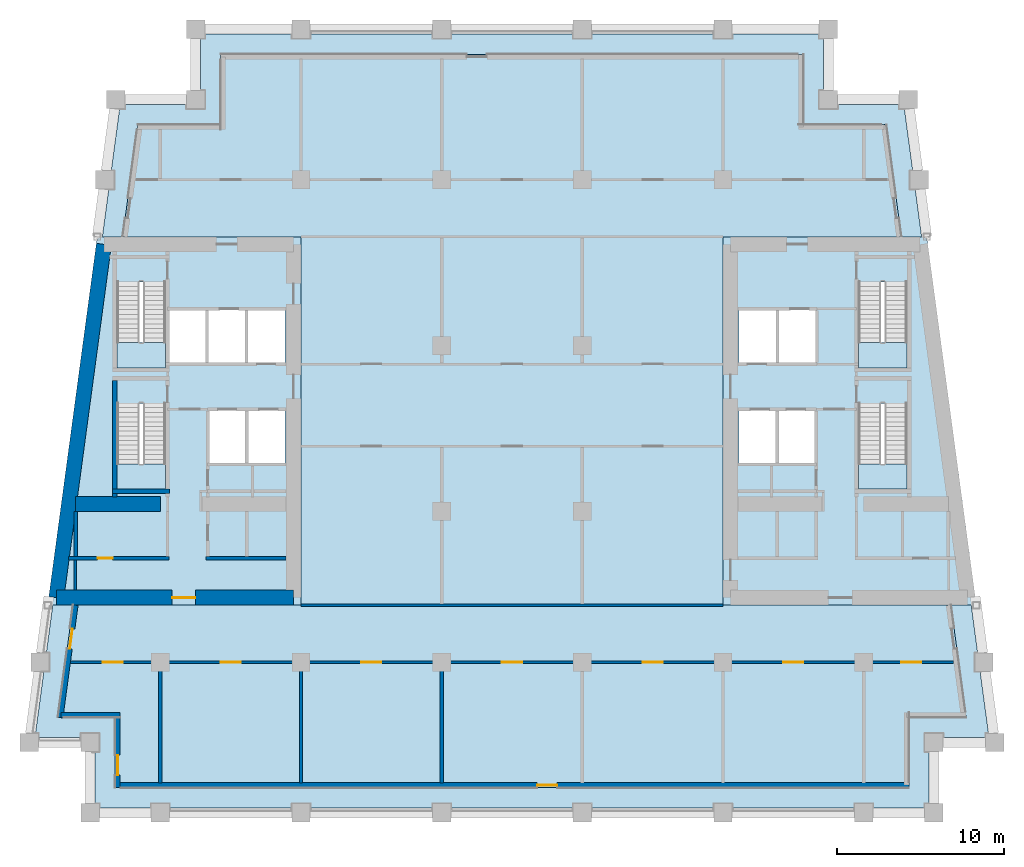
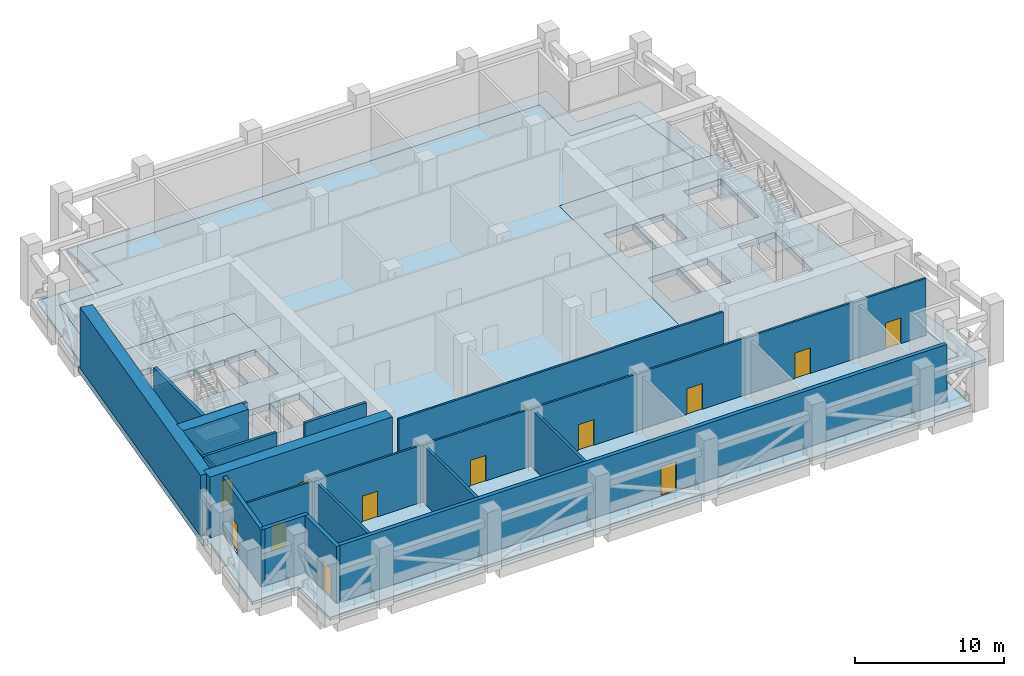
# One storey, part 4 of 12: 18 walls, 12 doors, 9 slabs, 12 openings, 4 elements without a shape of their own.
"""IFC4 building model written with IfcOpenShell, lengths in metres."""

from ifc_helpers import new_model, si_unit, direction, frame, frame_2d, origin, place, context, subcontext, project, spatial, polyline, rectangle, outline, extrude, material, layer, layer_set, type_object, element, fill, aggregate, save


model = new_model("IFC4")

# Units and contexts
model_context = context("Model", 3, precision=1e-05, world=origin(), true_north=direction((0.0, 1.0)))
body_context = subcontext(model_context, "Body", "Model", "MODEL_VIEW")
ifc_project = project(units=[si_unit("LENGTHUNIT", "METRE"), si_unit("AREAUNIT", "SQUARE_METRE"), si_unit("VOLUMEUNIT", "CUBIC_METRE"), si_unit("PLANEANGLEUNIT", "RADIAN"), si_unit("MASSUNIT", "GRAM", prefix="KILO")], contexts=[model_context])

# Site, building, storey
site_placement = place(None, origin())
site = spatial("IfcSite", under=ifc_project, at=site_placement, CompositionType="ELEMENT")
building_placement = place(site_placement, origin())
building = spatial("IfcBuilding", under=site, at=building_placement, Name="Candeia Pilgrim Tower and Theatre", CompositionType="ELEMENT")
storey_placement = place(building_placement, frame((0.0, 0.0, 197.199951171875)))
storey = spatial("IfcBuildingStorey", under=building, at=storey_placement, Name="L47", CompositionType="ELEMENT", Elevation=197.199951171875)

# Slabs
ifc_material_1 = material(Name="Concrete C60/75", Category="concrete")
ifc_layer_1 = layer(ifc_material_1, 0.5)
ifc_layer_set_1 = layer_set([ifc_layer_1], Name="FS-CORE 500 core floor")
slab_type_1 = type_object("IfcSlabType", Name="FS-CORE 500 core floor", PredefinedType="FLOOR", material=ifc_layer_set_1)
slab_1_placement = place(storey_placement, frame((0.0, 0.0, -0.5)))
element("IfcSlab", 1, at=slab_1_placement, inside=storey, type_object=slab_type_1, Name="Core floor W L47", PredefinedType="FLOOR", context=body_context, shape_type="SweptSolid", body=[
    extrude(outline(polyline([(100.800048828125, 132.39990234375), (100.800048828125, 110.39990234375), (85.669189453125, 110.39990234375), (88.630859375, 132.39990234375), (100.800048828125, 132.39990234375)]), holes=[polyline([(97.59228515625, 128.050048828125), (97.59228515625, 124.85009765625), (99.85009765625, 124.85009765625), (99.85009765625, 128.050048828125), (97.59228515625, 128.050048828125)]), polyline([(97.613525390625, 122.050048828125), (97.613525390625, 118.85009765625), (99.85009765625, 118.85009765625), (99.85009765625, 122.050048828125), (97.613525390625, 122.050048828125)]), polyline([(95.277099609375, 122.050048828125), (95.277099609375, 118.85009765625), (97.513427734375, 118.85009765625), (97.513427734375, 122.050048828125), (95.277099609375, 122.050048828125)]), polyline([(95.234619140625, 128.050048828125), (95.234619140625, 124.85009765625), (97.4921875, 124.85009765625), (97.4921875, 128.050048828125), (95.234619140625, 128.050048828125)]), polyline([(92.876953125, 128.050048828125), (92.876953125, 124.85009765625), (95.134765625, 124.85009765625), (95.134765625, 128.050048828125), (92.876953125, 128.050048828125)]), polyline([(89.802001953125, 117.324951171875), (92.701904296875, 117.324951171875), (92.701904296875, 122.455078125), (89.802001953125, 122.455078125), (89.802001953125, 117.324951171875)]), polyline([(89.802001953125, 129.705078125), (89.802001953125, 124.574951171875), (92.701904296875, 124.574951171875), (92.701904296875, 129.705078125), (89.802001953125, 129.705078125)])]), origin(), (0.0, 0.0, 1.0), 0.5),
])
slab_2_placement = place(storey_placement, frame((0.0, 0.0, -0.5)))
element("IfcSlab", 2, at=slab_2_placement, inside=storey, type_object=slab_type_1, Name="Core floor E L47", PredefinedType="FLOOR", context=body_context, shape_type="SweptSolid", body=[
    extrude(outline(polyline([(138.169189453125, 132.39990234375), (141.130859375, 110.39990234375), (126.0, 110.39990234375), (126.0, 132.39990234375), (138.169189453125, 132.39990234375)]), holes=[polyline([(134.097900390625, 117.324951171875), (136.998046875, 117.324951171875), (136.998046875, 122.455078125), (134.097900390625, 122.455078125), (134.097900390625, 117.324951171875)]), polyline([(134.097900390625, 129.705078125), (134.097900390625, 124.574951171875), (136.998046875, 124.574951171875), (136.998046875, 129.705078125), (134.097900390625, 129.705078125)]), polyline([(131.565185546875, 128.050048828125), (129.3076171875, 128.050048828125), (129.3076171875, 124.85009765625), (131.565185546875, 124.85009765625), (131.565185546875, 128.050048828125)]), polyline([(131.52294921875, 122.050048828125), (129.28662109375, 122.050048828125), (129.28662109375, 118.85009765625), (131.52294921875, 118.85009765625), (131.52294921875, 122.050048828125)]), polyline([(126.949951171875, 128.050048828125), (126.949951171875, 124.85009765625), (129.207763671875, 124.85009765625), (129.207763671875, 128.050048828125), (126.949951171875, 128.050048828125)]), polyline([(129.1865234375, 122.050048828125), (126.949951171875, 122.050048828125), (126.949951171875, 118.85009765625), (129.1865234375, 118.85009765625), (129.1865234375, 122.050048828125)])]), origin(), (0.0, 0.0, 1.0), 0.5),
])
ifc_material_2 = material(Name="Concrete C50/60", Category="concrete")
ifc_layer_2 = layer(ifc_material_2, 0.5)
ifc_layer_set_2 = layer_set([ifc_layer_2], Name="Floor slab 500 C50/60")
slab_type_2 = type_object("IfcSlabType", Name="Floor slab 500 C50/60", PredefinedType="FLOOR", material=ifc_layer_set_2)
slab_3_placement = place(storey_placement, frame((0.0, 0.0, -0.5)))
element("IfcSlab", 3, at=slab_3_placement, inside=storey, type_object=slab_type_2, Name="Floor slab L47", PredefinedType="FLOOR", context=body_context, shape_type="SweptSolid", body=[
    extrude(outline(polyline([(96.0, 139.10009765625), (96.0, 143.300048828125), (130.800048828125, 143.300048828125), (130.800048828125, 139.10009765625), (135.753662109375, 139.10009765625), (136.65576171875, 132.39990234375), (126.0, 132.39990234375), (126.0, 110.39990234375), (139.6171875, 110.39990234375), (140.51904296875, 103.699951171875), (137.10009765625, 103.699951171875), (137.10009765625, 99.5), (89.699951171875, 99.5), (89.699951171875, 103.699951171875), (86.28076171875, 103.699951171875), (87.182861328125, 110.39990234375), (100.800048828125, 110.39990234375), (100.800048828125, 132.39990234375), (90.144287109375, 132.39990234375), (91.046142578125, 139.10009765625), (96.0, 139.10009765625)])), origin(), (0.0, 0.0, 1.0), 0.5),
])
ifc_material_3 = material(Name="Concrete C40/50", Category="concrete")
ifc_layer_3 = layer(ifc_material_3, 0.25)
ifc_layer_set_3 = layer_set([ifc_layer_3], Name="Loggia slab 250 C40/50")
slab_type_3 = type_object("IfcSlabType", Name="Loggia slab 250 C40/50", PredefinedType="FLOOR", material=ifc_layer_set_3)
slab_4_placement = place(storey_placement, frame((0.0, 0.0, -0.25)))
element("IfcSlab", 4, at=slab_4_placement, inside=storey, type_object=slab_type_3, Name="Loggia slab L47 1", PredefinedType="FLOOR", context=body_context, shape_type="SweptSolid", body=[
    extrude(outline(polyline([(87.182861328125, 110.39990234375), (86.28076171875, 103.699951171875), (89.699951171875, 103.699951171875), (89.699951171875, 99.5), (137.10009765625, 99.5), (137.10009765625, 103.699951171875), (140.51904296875, 103.699951171875), (139.6171875, 110.39990234375), (140.828125, 110.39990234375), (141.8916015625, 102.5), (138.300048828125, 102.5), (138.300048828125, 98.300048828125), (88.5, 98.300048828125), (88.5, 102.5), (84.908447265625, 102.5), (85.971923828125, 110.39990234375), (87.182861328125, 110.39990234375)])), origin(), (0.0, 0.0, 1.0), 0.25),
])
slab_5_placement = place(storey_placement, frame((0.0, 0.0, -0.25)))
element("IfcSlab", 5, at=slab_5_placement, inside=storey, type_object=slab_type_3, Name="Loggia slab L47 2", PredefinedType="FLOOR", context=body_context, shape_type="SweptSolid", body=[
    extrude(outline(polyline([(136.65576171875, 132.39990234375), (135.753662109375, 139.10009765625), (130.800048828125, 139.10009765625), (130.800048828125, 143.300048828125), (96.0, 143.300048828125), (96.0, 139.10009765625), (91.046142578125, 139.10009765625), (90.144287109375, 132.39990234375), (88.93359375, 132.39990234375), (89.996826171875, 140.300048828125), (94.800048828125, 140.300048828125), (94.800048828125, 144.5), (132.0, 144.5), (132.0, 140.300048828125), (136.802978515625, 140.300048828125), (137.866455078125, 132.39990234375), (136.65576171875, 132.39990234375)])), origin(), (0.0, 0.0, 1.0), 0.25),
])

# Stair, slab
stair_type = type_object("IfcStairType", Name="ST-TWR dog-leg escape stair", PredefinedType="HALF_TURN_STAIR", material=ifc_material_3)
stair_1_placement = place(storey_placement, origin())
stair_1 = element("IfcStair", 6, at=stair_1_placement, inside=storey, type_object=stair_type, Name="L47 Escape stair ST1", PredefinedType="HALF_TURN_STAIR")
ifc_layer_4 = layer(ifc_material_3, 0.199951171875)
ifc_layer_set_4 = layer_set([ifc_layer_4], Name="SL-LANDING stair landing")
slab_type_4 = type_object("IfcSlabType", Name="SL-LANDING stair landing", PredefinedType="LANDING", material=ifc_layer_set_4)
slab_6_placement = place(storey_placement, frame((0.0, 0.0, 2.300048828125)))
slab_6 = element("IfcSlab", 7, at=slab_6_placement, type_object=slab_type_4, Name="ST1 landing 1", PredefinedType="LANDING", context=body_context, shape_type="SweptSolid", body=[
    extrude(outline(polyline([(89.802001953125, 118.8349609375), (89.802001953125, 117.324951171875), (92.701904296875, 117.324951171875), (92.701904296875, 118.8349609375), (89.802001953125, 118.8349609375)])), origin(), (0.0, 0.0, 1.0), 0.199951171875),
])
aggregate(stair_1, [slab_6])

stair_2_placement = place(storey_placement, origin())
stair_2 = element("IfcStair", 8, at=stair_2_placement, inside=storey, type_object=stair_type, Name="L47 Escape stair ST2", PredefinedType="HALF_TURN_STAIR")
slab_7_placement = place(storey_placement, frame((0.0, 0.0, 2.300048828125)))
slab_7 = element("IfcSlab", 9, at=slab_7_placement, type_object=slab_type_4, Name="ST2 landing 1", PredefinedType="LANDING", context=body_context, shape_type="SweptSolid", body=[
    extrude(outline(polyline([(89.802001953125, 126.0849609375), (89.802001953125, 124.574951171875), (92.701904296875, 124.574951171875), (92.701904296875, 126.0849609375), (89.802001953125, 126.0849609375)])), origin(), (0.0, 0.0, 1.0), 0.199951171875),
])
aggregate(stair_2, [slab_7])

stair_3_placement = place(storey_placement, origin())
stair_3 = element("IfcStair", 10, at=stair_3_placement, inside=storey, type_object=stair_type, Name="L47 Escape stair ST3", PredefinedType="HALF_TURN_STAIR")
slab_8_placement = place(storey_placement, frame((0.0, 0.0, 2.300048828125)))
slab_8 = element("IfcSlab", 11, at=slab_8_placement, type_object=slab_type_4, Name="ST3 landing 1", PredefinedType="LANDING", context=body_context, shape_type="SweptSolid", body=[
    extrude(outline(polyline([(134.097900390625, 118.8349609375), (134.097900390625, 117.324951171875), (136.998046875, 117.324951171875), (136.998046875, 118.8349609375), (134.097900390625, 118.8349609375)])), origin(), (0.0, 0.0, 1.0), 0.199951171875),
])
aggregate(stair_3, [slab_8])

stair_4_placement = place(storey_placement, origin())
stair_4 = element("IfcStair", 12, at=stair_4_placement, inside=storey, type_object=stair_type, Name="L47 Escape stair ST4", PredefinedType="HALF_TURN_STAIR")
slab_9_placement = place(storey_placement, frame((0.0, 0.0, 2.300048828125)))
slab_9 = element("IfcSlab", 13, at=slab_9_placement, type_object=slab_type_4, Name="ST4 landing 1", PredefinedType="LANDING", context=body_context, shape_type="SweptSolid", body=[
    extrude(outline(polyline([(134.097900390625, 126.0849609375), (134.097900390625, 124.574951171875), (136.998046875, 124.574951171875), (136.998046875, 126.0849609375), (134.097900390625, 126.0849609375)])), origin(), (0.0, 0.0, 1.0), 0.199951171875),
])
aggregate(stair_4, [slab_9])

# Wall, opening, door
ifc_layer_5 = layer(ifc_material_1, 0.89990234375)
ifc_layer_set_5 = layer_set([ifc_layer_5], Name="Core wall 900 C60/75")
wall_type_1 = type_object("IfcWallType", Name="Core wall 900 C60/75", PredefinedType="SHEAR", material=ifc_layer_set_5)
wall_1_placement = place(storey_placement, frame((100.35009765625, 110.85009765625, 0.0), z_axis=(0.0, 0.0, 1.0), x_axis=(-1.0, 0.0, 0.0)))
wall_1 = element("IfcWall", 14, at=wall_1_placement, inside=storey, type_object=wall_type_1, Name="Core wall W3", PredefinedType="SHEAR", context=body_context, shape_type="SweptSolid", body=[
    extrude(rectangle(XDim=14.166259765625, YDim=0.89990234375, at=frame_2d((7.0830078125, 0.0))), origin(), (0.0, 0.0, 1.0), 5.0),
])
opening_1_placement = place(wall_1_placement, frame((5.854736328125, 0.0, 0.0)))
opening_1 = element("IfcOpeningElement", 15, at=opening_1_placement, cuts=wall_1, Name="Opening L47-D034", PredefinedType="OPENING", context=body_context, shape_type="SweptSolid", body=[
    extrude(rectangle(XDim=1.39990234375, YDim=2.10009765625, at=frame_2d((0.699951171875, 1.050048828125))), frame((0.0, 0.4599609375, 0.0), z_axis=(0.0, -1.0, 0.0), x_axis=(1.0, 0.0, 0.0)), (0.0, 0.0, 1.0), 0.919921875),
])
ifc_material_4 = material(Name="Steel fire door set", Category="steel")
door_type_1 = type_object("IfcDoorType", Name="D-1400-FD60", OperationType="NOTDEFINED", PredefinedType="DOOR", material=ifc_material_4)
door_1_placement = place(opening_1_placement, origin())
door_1 = element("IfcDoor", 16, at=door_1_placement, inside=storey, type_object=door_type_1, Name="Door L47-D034", OperationType="SINGLE_SWING_LEFT", OverallHeight=2.10009765625, OverallWidth=1.39990234375, PredefinedType="DOOR", context=body_context, shape_type="SweptSolid", body=[
    extrude(rectangle(XDim=1.39990234375, YDim=2.10009765625, at=frame_2d((0.699951171875, 1.050048828125))), frame((0.0, 0.02490234375, 0.0), z_axis=(0.0, -1.0, 0.0), x_axis=(1.0, 0.0, 0.0)), (0.0, 0.0, 1.0), 0.050048828125),
])
fill(opening_1, door_1)

# Walls
wall_2_placement = place(storey_placement, frame((86.183837890625, 110.85009765625, 0.0), z_axis=(0.0, 0.0, 1.0), x_axis=(0.133410495943, 0.991060865725, 0.0)))
element("IfcWall", 17, at=wall_2_placement, inside=storey, type_object=wall_type_1, Name="Core wall W4", PredefinedType="SHEAR", context=body_context, shape_type="SweptSolid", body=[
    extrude(rectangle(XDim=21.290283203125, YDim=0.89990234375, at=frame_2d((10.64501953125, 0.0))), origin(), (0.0, 0.0, 1.0), 5.0),
])
wall_3_placement = place(storey_placement, frame((87.322998046875, 116.449951171875, 0.0), z_axis=(0.0, 0.0, 1.0), x_axis=(1.0, 0.0, 0.0)))
element("IfcWall", 18, at=wall_3_placement, inside=storey, type_object=wall_type_1, Name="Core wall W5", PredefinedType="SHEAR", context=body_context, shape_type="SweptSolid", body=[
    extrude(rectangle(XDim=5.076904296875, YDim=0.89990234375, at=frame_2d((2.53857421875, 0.0))), origin(), (0.0, 0.0, 1.0), 5.0),
])

# Wall, opening, door
ifc_material_5 = material(Name="Ceramic block masonry", Category="masonry")
ifc_layer_6 = layer(ifc_material_5, 0.300048828125)
ifc_layer_set_6 = layer_set([ifc_layer_6], Name="EW1 glazing-line wall 300")
wall_type_2 = type_object("IfcWallType", Name="EW1 glazing-line wall 300", PredefinedType="SOLIDWALL", material=ifc_layer_set_6)
wall_4_placement = place(storey_placement, frame((89.85009765625, 99.64990234375, 0.0), z_axis=(0.0, 0.0, 1.0), x_axis=(1.0, 0.0, 0.0)))
wall_4 = element("IfcWall", 19, at=wall_4_placement, inside=storey, type_object=wall_type_2, Name="External wall L47-0.0", PredefinedType="SOLIDWALL", context=body_context, shape_type="SweptSolid", body=[
    extrude(rectangle(XDim=47.25, YDim=0.300048828125, at=frame_2d((23.625, 0.0))), origin(), (0.0, 0.0, 1.0), 4.679931640625),
])
opening_2_placement = place(wall_4_placement, frame((25.050048828125, 0.0, 0.0)))
opening_2 = element("IfcOpeningElement", 20, at=opening_2_placement, cuts=wall_4, Name="Opening L47-ED444", PredefinedType="OPENING", context=body_context, shape_type="SweptSolid", body=[
    extrude(rectangle(XDim=1.199951171875, YDim=2.39990234375, at=frame_2d((0.60009765625, 1.199951171875))), frame((0.0, 0.16015625, 0.0), z_axis=(0.0, -1.0, 0.0), x_axis=(1.0, 0.0, 0.0)), (0.0, 0.0, 1.0), 0.320068359375),
])
ifc_material_6 = material(Name="Aluminium framed glazed door", Category="aluminium")
door_type_2 = type_object("IfcDoorType", Name="Loggia door 1200x2400", OperationType="DOUBLE_DOOR_SINGLE_SWING", PredefinedType="DOOR", material=ifc_material_6)
door_2_placement = place(opening_2_placement, origin())
door_2 = element("IfcDoor", 21, at=door_2_placement, inside=storey, type_object=door_type_2, Name="Loggia door L47-ED444", OperationType="DOUBLE_DOOR_SINGLE_SWING", OverallHeight=2.39990234375, OverallWidth=1.199951171875, PredefinedType="DOOR", context=body_context, shape_type="SweptSolid", body=[
    extrude(rectangle(XDim=1.199951171875, YDim=2.39990234375, at=frame_2d((0.60009765625, 1.199951171875))), frame((0.0, 0.02490234375, 0.0), z_axis=(0.0, -1.0, 0.0), x_axis=(1.0, 0.0, 0.0)), (0.0, 0.0, 1.0), 0.050048828125),
])
fill(opening_2, door_2)

wall_5_placement = place(storey_placement, frame((87.334228515625, 110.39990234375, 0.0), z_axis=(0.0, 0.0, 1.0), x_axis=(-0.133437175554, -0.991057273915, 0.0)))
wall_5 = element("IfcWall", 22, at=wall_5_placement, inside=storey, type_object=wall_type_2, Name="External wall L47-9.1", PredefinedType="SOLIDWALL", context=body_context, shape_type="SweptSolid", body=[
    extrude(rectangle(XDim=6.780517578125, YDim=0.300048828125, at=frame_2d((3.39013671875, 0.0))), origin(), (0.0, 0.0, 1.0), 4.679931640625),
])
opening_3_placement = place(wall_5_placement, frame((1.41796875, 0.0, 0.0)))
opening_3 = element("IfcOpeningElement", 23, at=opening_3_placement, cuts=wall_5, Name="Opening L47-ED449", PredefinedType="OPENING", context=body_context, shape_type="SweptSolid", body=[
    extrude(rectangle(XDim=1.199951171875, YDim=2.39990234375, at=frame_2d((0.60009765625, 1.199951171875))), frame((0.0, 0.16015625, 0.0), z_axis=(0.0, -1.0, 0.0), x_axis=(1.0, 0.0, 0.0)), (0.0, 0.0, 1.0), 0.320068359375),
])
door_3_placement = place(opening_3_placement, origin())
door_3 = element("IfcDoor", 24, at=door_3_placement, inside=storey, type_object=door_type_2, Name="Loggia door L47-ED449", OperationType="DOUBLE_DOOR_SINGLE_SWING", OverallHeight=2.39990234375, OverallWidth=1.199951171875, PredefinedType="DOOR", context=body_context, shape_type="SweptSolid", body=[
    extrude(rectangle(XDim=1.199951171875, YDim=2.39990234375, at=frame_2d((0.60009765625, 1.199951171875))), frame((0.0, 0.02490234375, 0.0), z_axis=(0.0, -1.0, 0.0), x_axis=(1.0, 0.0, 0.0)), (0.0, 0.0, 1.0), 0.050048828125),
])
fill(opening_3, door_3)

# Wall
wall_6_placement = place(storey_placement, frame((86.452392578125, 103.85009765625, 0.0), z_axis=(0.0, 0.0, 1.0), x_axis=(1.0, 0.0, 0.0)))
element("IfcWall", 25, at=wall_6_placement, inside=storey, type_object=wall_type_2, Name="External wall L47-10.0", PredefinedType="SOLIDWALL", context=body_context, shape_type="SweptSolid", body=[
    extrude(rectangle(XDim=3.547607421875, YDim=0.300048828125, at=frame_2d((1.77392578125, 0.0))), origin(), (0.0, 0.0, 1.0), 4.679931640625),
])

# Wall, opening, door
wall_7_placement = place(storey_placement, frame((89.85009765625, 103.85009765625, 0.0), z_axis=(0.0, 0.0, 1.0), x_axis=(0.0, -1.0, 0.0)))
wall_7 = element("IfcWall", 26, at=wall_7_placement, inside=storey, type_object=wall_type_2, Name="External wall L47-11.0", PredefinedType="SOLIDWALL", context=body_context, shape_type="SweptSolid", body=[
    extrude(rectangle(XDim=4.35009765625, YDim=0.300048828125, at=frame_2d((2.175048828125, 0.0))), origin(), (0.0, 0.0, 1.0), 4.679931640625),
])
opening_4_placement = place(wall_7_placement, frame((2.39990234375, 0.0, 0.0)))
opening_4 = element("IfcOpeningElement", 27, at=opening_4_placement, cuts=wall_7, Name="Opening L47-ED450", PredefinedType="OPENING", context=body_context, shape_type="SweptSolid", body=[
    extrude(rectangle(XDim=1.199951171875, YDim=2.39990234375, at=frame_2d((0.60009765625, 1.199951171875))), frame((0.0, 0.16015625, 0.0), z_axis=(0.0, -1.0, 0.0), x_axis=(1.0, 0.0, 0.0)), (0.0, 0.0, 1.0), 0.320068359375),
])
door_4_placement = place(opening_4_placement, origin())
door_4 = element("IfcDoor", 28, at=door_4_placement, inside=storey, type_object=door_type_2, Name="Loggia door L47-ED450", OperationType="DOUBLE_DOOR_SINGLE_SWING", OverallHeight=2.39990234375, OverallWidth=1.199951171875, PredefinedType="DOOR", context=body_context, shape_type="SweptSolid", body=[
    extrude(rectangle(XDim=1.199951171875, YDim=2.39990234375, at=frame_2d((0.60009765625, 1.199951171875))), frame((0.0, 0.02490234375, 0.0), z_axis=(0.0, -1.0, 0.0), x_axis=(1.0, 0.0, 0.0)), (0.0, 0.0, 1.0), 0.050048828125),
])
fill(opening_4, door_4)

# Wall
ifc_material_7 = material(Name="Gypsum board partition on steel studs", Category="steel")
ifc_layer_7 = layer(ifc_material_7, 0.14990234375)
ifc_layer_set_7 = layer_set([ifc_layer_7], Name="PW-150 lobby wall")
wall_type_3 = type_object("IfcWallType", Name="PW-150 lobby wall", PredefinedType="PARTITIONING", material=ifc_layer_set_7)
wall_8_placement = place(storey_placement, frame((87.327880859375, 111.300048828125, 0.0), z_axis=(0.0, 0.0, 1.0), x_axis=(0.0, 1.0, 0.0)))
element("IfcWall", 29, at=wall_8_placement, inside=storey, type_object=wall_type_3, Name="Lobby wall L47-036", PredefinedType="PARTITIONING", context=body_context, shape_type="SweptSolid", body=[
    extrude(rectangle(XDim=1.800048828125, YDim=0.14990234375, at=frame_2d((0.89990234375, 0.0))), origin(), (0.0, 0.0, 1.0), 4.679931640625),
])

# Wall, openings, doors
ifc_layer_8 = layer(ifc_material_7, 0.14990234375)
ifc_layer_set_8 = layer_set([ifc_layer_8], Name="PW-150 unit wall")
wall_type_4 = type_object("IfcWallType", Name="PW-150 unit wall", PredefinedType="PARTITIONING", material=ifc_layer_set_8)
wall_9_placement = place(storey_placement, frame((87.017578125, 107.0, 0.0), z_axis=(0.0, 0.0, 1.0), x_axis=(1.0, 0.0, 0.0)))
wall_9 = element("IfcWall", 30, at=wall_9_placement, inside=storey, type_object=wall_type_4, Name="Unit wall L47-001", PredefinedType="PARTITIONING", context=body_context, shape_type="SweptSolid", body=[
    extrude(rectangle(XDim=52.7646484375, YDim=0.14990234375, at=frame_2d((26.38232421875, 0.0))), origin(), (0.0, 0.0, 1.0), 4.679931640625),
])
opening_5_placement = place(wall_9_placement, frame((1.9443359375, 0.0, 0.0)))
opening_5 = element("IfcOpeningElement", 31, at=opening_5_placement, cuts=wall_9, Name="Opening L47-D001", PredefinedType="OPENING", context=body_context, shape_type="SweptSolid", body=[
    extrude(rectangle(XDim=1.199951171875, YDim=2.10009765625, at=frame_2d((0.60009765625, 1.050048828125))), frame((0.0, 0.0849609375, 0.0), z_axis=(0.0, -1.0, 0.0), x_axis=(1.0, 0.0, 0.0)), (0.0, 0.0, 1.0), 0.169921875),
])
opening_6_placement = place(wall_9_placement, frame((8.982421875, 0.0, 0.0)))
opening_6 = element("IfcOpeningElement", 32, at=opening_6_placement, cuts=wall_9, Name="Opening L47-D003", PredefinedType="OPENING", context=body_context, shape_type="SweptSolid", body=[
    extrude(rectangle(XDim=1.199951171875, YDim=2.10009765625, at=frame_2d((0.60009765625, 1.050048828125))), frame((0.0, 0.0849609375, 0.0), z_axis=(0.0, -1.0, 0.0), x_axis=(1.0, 0.0, 0.0)), (0.0, 0.0, 1.0), 0.169921875),
])
opening_7_placement = place(wall_9_placement, frame((17.38232421875, 0.0, 0.0)))
opening_7 = element("IfcOpeningElement", 33, at=opening_7_placement, cuts=wall_9, Name="Opening L47-D005", PredefinedType="OPENING", context=body_context, shape_type="SweptSolid", body=[
    extrude(rectangle(XDim=1.199951171875, YDim=2.10009765625, at=frame_2d((0.60009765625, 1.050048828125))), frame((0.0, 0.0849609375, 0.0), z_axis=(0.0, -1.0, 0.0), x_axis=(1.0, 0.0, 0.0)), (0.0, 0.0, 1.0), 0.169921875),
])
opening_8_placement = place(wall_9_placement, frame((25.7822265625, 0.0, 0.0)))
opening_8 = element("IfcOpeningElement", 34, at=opening_8_placement, cuts=wall_9, Name="Opening L47-D007", PredefinedType="OPENING", context=body_context, shape_type="SweptSolid", body=[
    extrude(rectangle(XDim=1.199951171875, YDim=2.10009765625, at=frame_2d((0.60009765625, 1.050048828125))), frame((0.0, 0.0849609375, 0.0), z_axis=(0.0, -1.0, 0.0), x_axis=(1.0, 0.0, 0.0)), (0.0, 0.0, 1.0), 0.169921875),
])
opening_9_placement = place(wall_9_placement, frame((34.182373046875, 0.0, 0.0)))
opening_9 = element("IfcOpeningElement", 35, at=opening_9_placement, cuts=wall_9, Name="Opening L47-D009", PredefinedType="OPENING", context=body_context, shape_type="SweptSolid", body=[
    extrude(rectangle(XDim=1.199951171875, YDim=2.10009765625, at=frame_2d((0.60009765625, 1.050048828125))), frame((0.0, 0.0849609375, 0.0), z_axis=(0.0, -1.0, 0.0), x_axis=(1.0, 0.0, 0.0)), (0.0, 0.0, 1.0), 0.169921875),
])
opening_10_placement = place(wall_9_placement, frame((42.582275390625, 0.0, 0.0)))
opening_10 = element("IfcOpeningElement", 36, at=opening_10_placement, cuts=wall_9, Name="Opening L47-D011", PredefinedType="OPENING", context=body_context, shape_type="SweptSolid", body=[
    extrude(rectangle(XDim=1.199951171875, YDim=2.10009765625, at=frame_2d((0.60009765625, 1.050048828125))), frame((0.0, 0.0849609375, 0.0), z_axis=(0.0, -1.0, 0.0), x_axis=(1.0, 0.0, 0.0)), (0.0, 0.0, 1.0), 0.169921875),
])
opening_11_placement = place(wall_9_placement, frame((49.619384765625, 0.0, 0.0)))
opening_11 = element("IfcOpeningElement", 37, at=opening_11_placement, cuts=wall_9, Name="Opening L47-D013", PredefinedType="OPENING", context=body_context, shape_type="SweptSolid", body=[
    extrude(rectangle(XDim=1.199951171875, YDim=2.10009765625, at=frame_2d((0.60009765625, 1.050048828125))), frame((0.0, 0.0849609375, 0.0), z_axis=(0.0, -1.0, 0.0), x_axis=(1.0, 0.0, 0.0)), (0.0, 0.0, 1.0), 0.169921875),
])
door_type_3 = type_object("IfcDoorType", Name="D-1200-FD60", OperationType="NOTDEFINED", PredefinedType="DOOR", material=ifc_material_4)
door_5_placement = place(opening_5_placement, origin())
door_5 = element("IfcDoor", 38, at=door_5_placement, inside=storey, type_object=door_type_3, Name="Door L47-D001", OperationType="SINGLE_SWING_RIGHT", OverallHeight=2.10009765625, OverallWidth=1.199951171875, PredefinedType="DOOR", context=body_context, shape_type="SweptSolid", body=[
    extrude(rectangle(XDim=1.199951171875, YDim=2.10009765625, at=frame_2d((0.60009765625, 1.050048828125))), frame((0.0, 0.02490234375, 0.0), z_axis=(0.0, -1.0, 0.0), x_axis=(1.0, 0.0, 0.0)), (0.0, 0.0, 1.0), 0.050048828125),
])
fill(opening_5, door_5)
door_6_placement = place(opening_6_placement, origin())
door_6 = element("IfcDoor", 39, at=door_6_placement, inside=storey, type_object=door_type_3, Name="Door L47-D003", OperationType="SINGLE_SWING_RIGHT", OverallHeight=2.10009765625, OverallWidth=1.199951171875, PredefinedType="DOOR", context=body_context, shape_type="SweptSolid", body=[
    extrude(rectangle(XDim=1.199951171875, YDim=2.10009765625, at=frame_2d((0.60009765625, 1.050048828125))), frame((0.0, 0.02490234375, 0.0), z_axis=(0.0, -1.0, 0.0), x_axis=(1.0, 0.0, 0.0)), (0.0, 0.0, 1.0), 0.050048828125),
])
fill(opening_6, door_6)
door_7_placement = place(opening_7_placement, origin())
door_7 = element("IfcDoor", 40, at=door_7_placement, inside=storey, type_object=door_type_3, Name="Door L47-D005", OperationType="SINGLE_SWING_RIGHT", OverallHeight=2.10009765625, OverallWidth=1.199951171875, PredefinedType="DOOR", context=body_context, shape_type="SweptSolid", body=[
    extrude(rectangle(XDim=1.199951171875, YDim=2.10009765625, at=frame_2d((0.60009765625, 1.050048828125))), frame((0.0, 0.02490234375, 0.0), z_axis=(0.0, -1.0, 0.0), x_axis=(1.0, 0.0, 0.0)), (0.0, 0.0, 1.0), 0.050048828125),
])
fill(opening_7, door_7)
door_8_placement = place(opening_8_placement, origin())
door_8 = element("IfcDoor", 41, at=door_8_placement, inside=storey, type_object=door_type_3, Name="Door L47-D007", OperationType="SINGLE_SWING_RIGHT", OverallHeight=2.10009765625, OverallWidth=1.199951171875, PredefinedType="DOOR", context=body_context, shape_type="SweptSolid", body=[
    extrude(rectangle(XDim=1.199951171875, YDim=2.10009765625, at=frame_2d((0.60009765625, 1.050048828125))), frame((0.0, 0.02490234375, 0.0), z_axis=(0.0, -1.0, 0.0), x_axis=(1.0, 0.0, 0.0)), (0.0, 0.0, 1.0), 0.050048828125),
])
fill(opening_8, door_8)
door_9_placement = place(opening_9_placement, origin())
door_9 = element("IfcDoor", 42, at=door_9_placement, inside=storey, type_object=door_type_3, Name="Door L47-D009", OperationType="SINGLE_SWING_RIGHT", OverallHeight=2.10009765625, OverallWidth=1.199951171875, PredefinedType="DOOR", context=body_context, shape_type="SweptSolid", body=[
    extrude(rectangle(XDim=1.199951171875, YDim=2.10009765625, at=frame_2d((0.60009765625, 1.050048828125))), frame((0.0, 0.02490234375, 0.0), z_axis=(0.0, -1.0, 0.0), x_axis=(1.0, 0.0, 0.0)), (0.0, 0.0, 1.0), 0.050048828125),
])
fill(opening_9, door_9)
door_10_placement = place(opening_10_placement, origin())
door_10 = element("IfcDoor", 43, at=door_10_placement, inside=storey, type_object=door_type_3, Name="Door L47-D011", OperationType="SINGLE_SWING_RIGHT", OverallHeight=2.10009765625, OverallWidth=1.199951171875, PredefinedType="DOOR", context=body_context, shape_type="SweptSolid", body=[
    extrude(rectangle(XDim=1.199951171875, YDim=2.10009765625, at=frame_2d((0.60009765625, 1.050048828125))), frame((0.0, 0.02490234375, 0.0), z_axis=(0.0, -1.0, 0.0), x_axis=(1.0, 0.0, 0.0)), (0.0, 0.0, 1.0), 0.050048828125),
])
fill(opening_10, door_10)
door_11_placement = place(opening_11_placement, origin())
door_11 = element("IfcDoor", 44, at=door_11_placement, inside=storey, type_object=door_type_3, Name="Door L47-D013", OperationType="SINGLE_SWING_RIGHT", OverallHeight=2.10009765625, OverallWidth=1.199951171875, PredefinedType="DOOR", context=body_context, shape_type="SweptSolid", body=[
    extrude(rectangle(XDim=1.199951171875, YDim=2.10009765625, at=frame_2d((0.60009765625, 1.050048828125))), frame((0.0, 0.02490234375, 0.0), z_axis=(0.0, -1.0, 0.0), x_axis=(1.0, 0.0, 0.0)), (0.0, 0.0, 1.0), 0.050048828125),
])
fill(opening_11, door_11)

# Walls
wall_10_placement = place(storey_placement, frame((100.800048828125, 110.39990234375, 0.0), z_axis=(0.0, 0.0, 1.0), x_axis=(1.0, 0.0, 0.0)))
element("IfcWall", 45, at=wall_10_placement, inside=storey, type_object=wall_type_4, Name="Unit wall L47-002", PredefinedType="PARTITIONING", context=body_context, shape_type="SweptSolid", body=[
    extrude(rectangle(XDim=25.199951171875, YDim=0.14990234375, at=frame_2d((12.60009765625, 0.0))), origin(), (0.0, 0.0, 1.0), 4.679931640625),
])
ifc_layer_9 = layer(ifc_material_7, 0.199951171875)
ifc_layer_set_9 = layer_set([ifc_layer_9], Name="PW-200 party wall")
wall_type_5 = type_object("IfcWallType", Name="PW-200 party wall", PredefinedType="PARTITIONING", material=ifc_layer_set_9)
for number, where, z_axis, x_axis, name in (
    (46, (92.39990234375, 99.7900390625, 0.0), (0.0, 0.0, 1.0), (0.0, 1.0, 0.0), "Party wall L47-039"),
    (47, (100.800048828125, 99.7900390625, 0.0), (0.0, 0.0, 1.0), (0.0, 1.0, 0.0), "Party wall L47-054"),
    (48, (109.199951171875, 99.7900390625, 0.0), (0.0, 0.0, 1.0), (0.0, 1.0, 0.0), "Party wall L47-056"),
):
    element("IfcWall", number, at=place(storey_placement, frame(where, z_axis=z_axis, x_axis=x_axis)), inside=storey, type_object=wall_type_5, Name=name, PredefinedType="PARTITIONING", context=body_context, shape_type="SweptSolid", body=[
        extrude(rectangle(XDim=7.135009765625, YDim=0.199951171875, at=frame_2d((3.5673828125, 0.0))), origin(), (0.0, 0.0, 1.0), 4.679931640625),
    ])

# Wall, opening, door
ifc_layer_10 = layer(ifc_material_3, 0.199951171875)
ifc_layer_set_10 = layer_set([ifc_layer_10], Name="SW-200 shaft wall")
wall_type_6 = type_object("IfcWallType", Name="SW-200 shaft wall", PredefinedType="PARTITIONING", material=ifc_layer_set_10)
wall_11_placement = place(storey_placement, frame((86.92431640625, 113.199951171875, 0.0), z_axis=(0.0, 0.0, 1.0), x_axis=(1.0, 0.0, 0.0)))
wall_11 = element("IfcWall", 49, at=wall_11_placement, inside=storey, type_object=wall_type_6, Name="Shaft wall L47-003", PredefinedType="PARTITIONING", context=body_context, shape_type="SweptSolid", body=[
    extrude(rectangle(XDim=6.002685546875, YDim=0.199951171875, at=frame_2d((3.00146484375, 0.0))), origin(), (0.0, 0.0, 1.0), 4.679931640625),
])
opening_12_placement = place(wall_11_placement, frame((1.728759765625, 0.0, 0.0)))
opening_12 = element("IfcOpeningElement", 50, at=opening_12_placement, cuts=wall_11, Name="Opening L47-D025", PredefinedType="OPENING", context=body_context, shape_type="SweptSolid", body=[
    extrude(rectangle(XDim=0.89990234375, YDim=2.10009765625, at=frame_2d((0.449951171875, 1.050048828125))), frame((0.0, 0.10986328125, 0.0), z_axis=(0.0, -1.0, 0.0), x_axis=(1.0, 0.0, 0.0)), (0.0, 0.0, 1.0), 0.219970703125),
])
door_type_4 = type_object("IfcDoorType", Name="D-900-FD60", OperationType="NOTDEFINED", PredefinedType="DOOR", material=ifc_material_4)
door_12_placement = place(opening_12_placement, origin())
door_12 = element("IfcDoor", 51, at=door_12_placement, inside=storey, type_object=door_type_4, Name="Door L47-D025", OperationType="SINGLE_SWING_RIGHT", OverallHeight=2.10009765625, OverallWidth=0.89990234375, PredefinedType="DOOR", context=body_context, shape_type="SweptSolid", body=[
    extrude(rectangle(XDim=0.89990234375, YDim=2.10009765625, at=frame_2d((0.449951171875, 1.050048828125))), frame((0.0, 0.02490234375, 0.0), z_axis=(0.0, -1.0, 0.0), x_axis=(1.0, 0.0, 0.0)), (0.0, 0.0, 1.0), 0.050048828125),
])
fill(opening_12, door_12)

# Walls
wall_12_placement = place(storey_placement, frame((95.126953125, 113.199951171875, 0.0), z_axis=(0.0, 0.0, 1.0), x_axis=(1.0, 0.0, 0.0)))
element("IfcWall", 52, at=wall_12_placement, inside=storey, type_object=wall_type_6, Name="Shaft wall L47-004", PredefinedType="PARTITIONING", context=body_context, shape_type="SweptSolid", body=[
    extrude(rectangle(XDim=4.77294921875, YDim=0.199951171875, at=frame_2d((2.386474609375, 0.0))), origin(), (0.0, 0.0, 1.0), 4.679931640625),
])
wall_13_placement = place(storey_placement, frame((87.350341796875, 113.300048828125, 0.0), z_axis=(0.0, 0.0, 1.0), x_axis=(0.0, 1.0, 0.0)))
element("IfcWall", 53, at=wall_13_placement, inside=storey, type_object=wall_type_6, Name="Shaft wall L47-035", PredefinedType="PARTITIONING", context=body_context, shape_type="SweptSolid", body=[
    extrude(rectangle(XDim=2.699951171875, YDim=0.199951171875, at=frame_2d((1.35009765625, 0.0))), origin(), (0.0, 0.0, 1.0), 4.679931640625),
])
ifc_layer_11 = layer(ifc_material_3, 0.25)
ifc_layer_set_11 = layer_set([ifc_layer_11], Name="SW-250 stair wall")
wall_type_7 = type_object("IfcWallType", Name="SW-250 stair wall", PredefinedType="PARTITIONING", material=ifc_layer_set_11)
wall_14_placement = place(storey_placement, frame((89.552001953125, 117.199951171875, 0.0), z_axis=(0.0, 0.0, 1.0), x_axis=(1.0, 0.0, 0.0)))
element("IfcWall", 54, at=wall_14_placement, inside=storey, type_object=wall_type_7, Name="Stair wall L47-011", PredefinedType="PARTITIONING", context=body_context, shape_type="SweptSolid", body=[
    extrude(rectangle(XDim=3.39990234375, YDim=0.25, at=frame_2d((1.699951171875, 0.0))), origin(), (0.0, 0.0, 1.0), 4.679931640625),
])
wall_15_placement = place(storey_placement, frame((89.677001953125, 116.8701171875, 0.0), z_axis=(0.0, 0.0, 1.0), x_axis=(0.0, 1.0, 0.0)))
element("IfcWall", 55, at=wall_15_placement, inside=storey, type_object=wall_type_7, Name="Stair wall L47-037", PredefinedType="PARTITIONING", context=body_context, shape_type="SweptSolid", body=[
    extrude(rectangle(XDim=6.954833984375, YDim=0.25, at=frame_2d((3.4775390625, 0.0))), origin(), (0.0, 0.0, 1.0), 4.679931640625),
])

save(model, "model.ifc")
